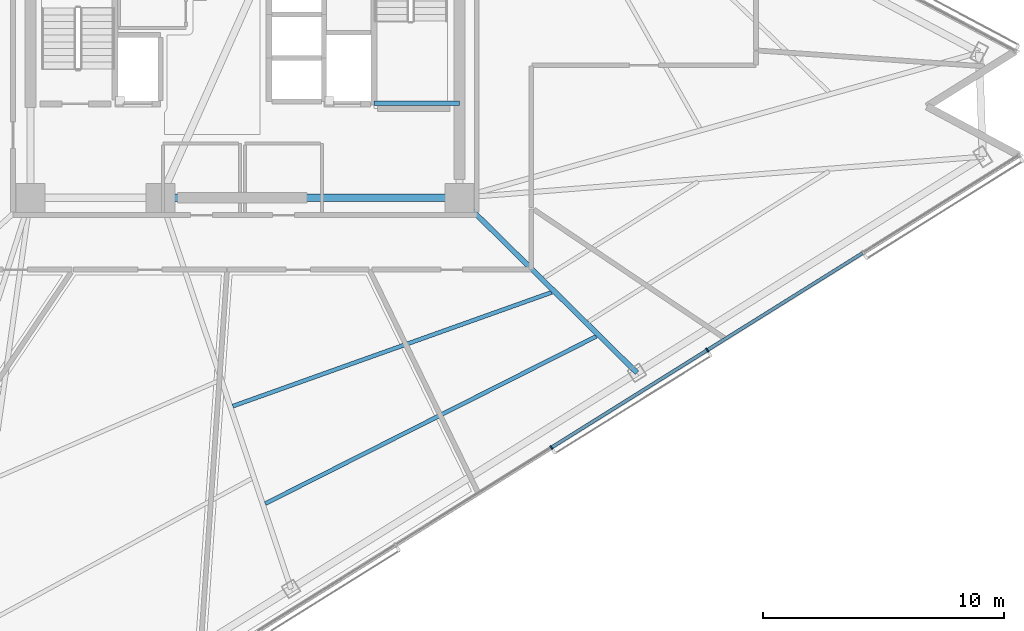
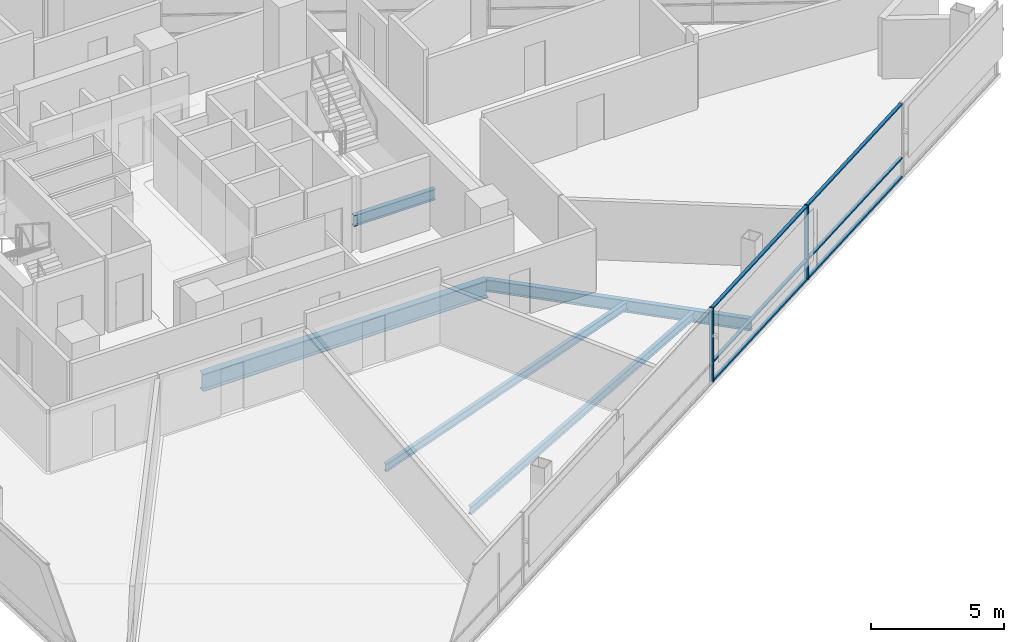
# One storey, part 5 of 20: 8 members, 5 beams, 1 element without a shape of its own.
"""IFC4 building model written with IfcOpenShell, lengths in metres."""

from ifc_helpers import new_model, si_unit, direction, frame, origin, origin_2d, place, context, subcontext, project, spatial, rectangle, i_section, extrude, material, layer, layer_set, material_profile, profile_set, type_object, element, aggregate, save


model = new_model("IFC4")

# Units and contexts
model_context = context("Model", 3, precision=1e-05, world=origin(), true_north=direction((0.0, 1.0)))
body_context = subcontext(model_context, "Body", "Model", "MODEL_VIEW")
ifc_project = project(units=[si_unit("LENGTHUNIT", "METRE"), si_unit("AREAUNIT", "SQUARE_METRE"), si_unit("VOLUMEUNIT", "CUBIC_METRE"), si_unit("PLANEANGLEUNIT", "RADIAN"), si_unit("MASSUNIT", "GRAM", prefix="KILO")], contexts=[model_context])

# Site, building, storey
site_placement = place(None, origin())
site = spatial("IfcSite", under=ifc_project, at=site_placement, CompositionType="ELEMENT")
building_placement = place(site_placement, origin())
building = spatial("IfcBuilding", under=site, at=building_placement, Name="Tharavind Bronze Gate", CompositionType="ELEMENT")
storey_placement = place(building_placement, frame((0.0, 0.0, 149.60009765625)))
storey = spatial("IfcBuildingStorey", under=building, at=storey_placement, Name="L38", CompositionType="ELEMENT", Elevation=149.60009765625)

# Curtain wall, members
ifc_material_1 = material(Name="Anodised Bronze Aluminium", Category="aluminium")
ifc_layer = layer(ifc_material_1, 0.219970703125)
ifc_layer_set = layer_set([ifc_layer], Name="Anodised Bronze Aluminium")
curtain_wall_type = type_object("IfcCurtainWallType", Name="UNITISED CURTAIN WALL MID OFFICE", PredefinedType="USERDEFINED", material=ifc_layer_set)
curtain_wall_placement = place(storey_placement, origin())
curtain_wall = element("IfcCurtainWall", 1, at=curtain_wall_placement, inside=storey, type_object=curtain_wall_type, Name="L38 unitised curtain wall mid office CW-L38-S2", ObjectType="UNITISED CURTAIN WALL", PredefinedType="USERDEFINED")
member_type_1 = type_object("IfcMemberType", Name="CURTAIN WALL BRONZE MULLION 65X180", PredefinedType="MULLION", material=ifc_material_1)
member_1_placement = place(storey_placement, frame((12.71826171875, -17.960205078125, 0.0), z_axis=(0.0, 0.0, 1.0), x_axis=(0.848048096156, 0.529919264233, 0.0)))
member_1 = element("IfcMember", 2, at=member_1_placement, type_object=member_type_1, Name="CW-L38-S2 mullion 5", PredefinedType="MULLION", context=body_context, shape_type="SweptSolid", body=[
    extrude(rectangle(XDim=0.06494140625, YDim=0.179931640625, at=origin_2d()), origin(), (0.0, 0.0, 1.0), 3.409912109375),
])
member_2_placement = place(storey_placement, frame((19.18359375, -13.919921875, 0.0), z_axis=(0.0, 0.0, 1.0), x_axis=(0.848048096156, 0.529919264233, 0.0)))
member_2 = element("IfcMember", 3, at=member_2_placement, type_object=member_type_1, Name="CW-L38-S2 mullion 6", PredefinedType="MULLION", context=body_context, shape_type="SweptSolid", body=[
    extrude(rectangle(XDim=0.06494140625, YDim=0.179931640625, at=origin_2d()), origin(), (0.0, 0.0, 1.0), 3.409912109375),
])
member_type_2 = type_object("IfcMemberType", Name="CURTAIN WALL BRONZE TRANSOM 65X140", PredefinedType="USERDEFINED", material=ifc_material_1)
member_3_placement = place(storey_placement, frame((15.950927734375, -15.93994140625, 0.0), z_axis=(0.0, 0.0, 1.0), x_axis=(0.848048096156, 0.529919264233, 0.0)))
member_3 = element("IfcMember", 4, at=member_3_placement, type_object=member_type_2, Name="CW-L38-S2 transom TB5", ObjectType="TRANSOM", PredefinedType="USERDEFINED", context=body_context, shape_type="SweptSolid", body=[
    extrude(rectangle(XDim=7.57080078125, YDim=0.139892578125, at=origin_2d()), origin(), (0.0, 0.0, 1.0), 0.06494140625),
])
member_4_placement = place(storey_placement, frame((15.950927734375, -15.93994140625, 0.867431640625), z_axis=(0.0, 0.0, 1.0), x_axis=(0.848048096156, 0.529919264233, 0.0)))
member_4 = element("IfcMember", 5, at=member_4_placement, type_object=member_type_2, Name="CW-L38-S2 transom TS5", ObjectType="TRANSOM", PredefinedType="USERDEFINED", context=body_context, shape_type="SweptSolid", body=[
    extrude(rectangle(XDim=7.57080078125, YDim=0.139892578125, at=origin_2d()), origin(), (0.0, 0.0, 1.0), 0.06494140625),
])
member_5_placement = place(storey_placement, frame((15.950927734375, -15.93994140625, 3.344970703125), z_axis=(0.0, 0.0, 1.0), x_axis=(0.848048096156, 0.529919264233, 0.0)))
member_5 = element("IfcMember", 6, at=member_5_placement, type_object=member_type_2, Name="CW-L38-S2 transom TT5", ObjectType="TRANSOM", PredefinedType="USERDEFINED", context=body_context, shape_type="SweptSolid", body=[
    extrude(rectangle(XDim=7.57080078125, YDim=0.139892578125, at=origin_2d()), origin(), (0.0, 0.0, 1.0), 0.06494140625),
])
member_6_placement = place(storey_placement, frame((22.41650390625, -11.89990234375, 0.0), z_axis=(0.0, 0.0, 1.0), x_axis=(0.848048096156, 0.529919264233, 0.0)))
member_6 = element("IfcMember", 7, at=member_6_placement, type_object=member_type_2, Name="CW-L38-S2 transom TB6", ObjectType="TRANSOM", PredefinedType="USERDEFINED", context=body_context, shape_type="SweptSolid", body=[
    extrude(rectangle(XDim=7.57080078125, YDim=0.139892578125, at=origin_2d()), origin(), (0.0, 0.0, 1.0), 0.06494140625),
])
member_7_placement = place(storey_placement, frame((22.41650390625, -11.89990234375, 0.867431640625), z_axis=(0.0, 0.0, 1.0), x_axis=(0.848048096156, 0.529919264233, 0.0)))
member_7 = element("IfcMember", 8, at=member_7_placement, type_object=member_type_2, Name="CW-L38-S2 transom TS6", ObjectType="TRANSOM", PredefinedType="USERDEFINED", context=body_context, shape_type="SweptSolid", body=[
    extrude(rectangle(XDim=7.57080078125, YDim=0.139892578125, at=origin_2d()), origin(), (0.0, 0.0, 1.0), 0.06494140625),
])
member_8_placement = place(storey_placement, frame((22.41650390625, -11.89990234375, 3.344970703125), z_axis=(0.0, 0.0, 1.0), x_axis=(0.848048096156, 0.529919264233, 0.0)))
member_8 = element("IfcMember", 9, at=member_8_placement, type_object=member_type_2, Name="CW-L38-S2 transom TT6", ObjectType="TRANSOM", PredefinedType="USERDEFINED", context=body_context, shape_type="SweptSolid", body=[
    extrude(rectangle(XDim=7.57080078125, YDim=0.139892578125, at=origin_2d()), origin(), (0.0, 0.0, 1.0), 0.06494140625),
])
aggregate(curtain_wall, [member_1, member_2, member_3, member_4, member_5, member_6, member_7, member_8])

# Beams
ifc_material_2 = material(Name="Steel S355", Category="steel")
ifc_material_profile_1 = material_profile(ifc_material_2, i_section(OverallWidth=0.199951171875, OverallDepth=0.5, WebThickness=0.01025390625, FlangeThickness=0.01611328125, at=origin_2d()), Name="IPE500")
ifc_profile_set_1 = profile_set([ifc_material_profile_1], Name="Steel S355")
beam_type_1 = type_object("IfcBeamType", Name="PRIMARY GIRDER IPE500", PredefinedType="USERDEFINED", material=ifc_profile_set_1)
beam_1_placement = place(storey_placement, frame((5.35009765625, -3.679931640625, 1.349853515625), z_axis=(1.0, 0.0, 0.0), x_axis=(0.0, 1.0, 0.0)))
element("IfcBeam", 10, at=beam_1_placement, inside=storey, type_object=beam_type_1, Name="L38 primary girder ipe500 BM-LD-ST2-L38-1", ObjectType="GIRDER", PredefinedType="USERDEFINED", context=body_context, shape_type="SweptSolid", body=[
    extrude(i_section(OverallWidth=0.199951171875, OverallDepth=0.5, WebThickness=0.01025390625, FlangeThickness=0.01611328125, at=origin_2d()), origin(), (0.0, 0.0, 1.0), 3.5498046875),
])
ifc_material_profile_2 = material_profile(ifc_material_2, i_section(OverallWidth=0.2099609375, OverallDepth=0.550048828125, WebThickness=0.010986328125, FlangeThickness=0.01708984375, at=origin_2d()), Name="IPE550")
ifc_profile_set_2 = profile_set([ifc_material_profile_2], Name="Steel S355")
beam_type_2 = type_object("IfcBeamType", Name="PRIMARY GIRDER IPE550", PredefinedType="USERDEFINED", material=ifc_profile_set_2)
beam_2_placement = place(storey_placement, frame((16.263916015625, -14.860107421875, -0.465087890625), z_axis=(-0.712117612056, 0.702060187306, 0.0), x_axis=(-0.702060187306, -0.712117612056, 0.0)))
element("IfcBeam", 11, at=beam_2_placement, inside=storey, type_object=beam_type_2, Name="L38 primary girder ipe550 BM-L38-RAD07", ObjectType="GIRDER", PredefinedType="USERDEFINED", context=body_context, shape_type="SweptSolid", body=[
    extrude(i_section(OverallWidth=0.2099609375, OverallDepth=0.550048828125, WebThickness=0.010986328125, FlangeThickness=0.01708984375, at=origin_2d()), origin(), (0.0, 0.0, 1.0), 10.341064453125),
])
ifc_material_profile_3 = material_profile(ifc_material_2, i_section(OverallWidth=0.300048828125, OverallDepth=0.800048828125, WebThickness=0.017578125, FlangeThickness=0.032958984375, at=origin_2d()), Name="HE800B")
ifc_profile_set_3 = profile_set([ifc_material_profile_3], Name="Steel S355")
beam_type_3 = type_object("IfcBeamType", Name="RING GIRDER HE800B", PredefinedType="USERDEFINED", material=ifc_profile_set_3)
beam_3_placement = place(storey_placement, frame((-3.5, -7.60009765625, -0.590087890625), z_axis=(1.0, 0.0, 0.0), x_axis=(0.0, 1.0, 0.0)))
element("IfcBeam", 12, at=beam_3_placement, inside=storey, type_object=beam_type_3, Name="L38 ring girder he800b BM-L38-CR2", ObjectType="GIRDER", PredefinedType="USERDEFINED", context=body_context, shape_type="SweptSolid", body=[
    extrude(i_section(OverallWidth=0.300048828125, OverallDepth=0.800048828125, WebThickness=0.017578125, FlangeThickness=0.032958984375, at=origin_2d()), origin(), (0.0, 0.0, 1.0), 12.39990234375),
])
ifc_material_profile_4 = material_profile(ifc_material_2, i_section(OverallWidth=0.169921875, OverallDepth=0.360107421875, WebThickness=0.008056640625, FlangeThickness=0.0126953125, at=origin_2d()), Name="IPE360")
ifc_profile_set_4 = profile_set([ifc_material_profile_4], Name="Steel S355")
beam_type_4 = type_object("IfcBeamType", Name="SECONDARY FLOOR JOIST IPE360", PredefinedType="JOIST", material=ifc_profile_set_4)
beam_4_placement = place(storey_placement, frame((-0.501708984375, -16.245361328125, -0.3701171875), z_axis=(0.941820934354, 0.336115051156, 0.0), x_axis=(-0.336115051156, 0.941820934354, 0.0)))
element("IfcBeam", 13, at=beam_4_placement, inside=storey, type_object=beam_type_4, Name="L38 secondary floor joist ipe360 BM-L38-JSTA06", PredefinedType="JOIST", context=body_context, shape_type="SweptSolid", body=[
    extrude(i_section(OverallWidth=0.169921875, OverallDepth=0.360107421875, WebThickness=0.008056640625, FlangeThickness=0.0126953125, at=origin_2d()), origin(), (0.0, 0.0, 1.0), 14.044921875),
])
beam_5_placement = place(storey_placement, frame((0.846923828125, -20.289306640625, -0.3701171875), z_axis=(0.89252439558, 0.450999116733, 0.0), x_axis=(-0.450999116733, 0.89252439558, 0.0)))
element("IfcBeam", 14, at=beam_5_placement, inside=storey, type_object=beam_type_4, Name="L38 secondary floor joist ipe360 BM-L38-JSTB06", PredefinedType="JOIST", context=body_context, shape_type="SweptSolid", body=[
    extrude(i_section(OverallWidth=0.169921875, OverallDepth=0.360107421875, WebThickness=0.008056640625, FlangeThickness=0.0126953125, at=origin_2d()), origin(), (0.0, 0.0, 1.0), 15.384765625),
])

save(model, "model.ifc")
